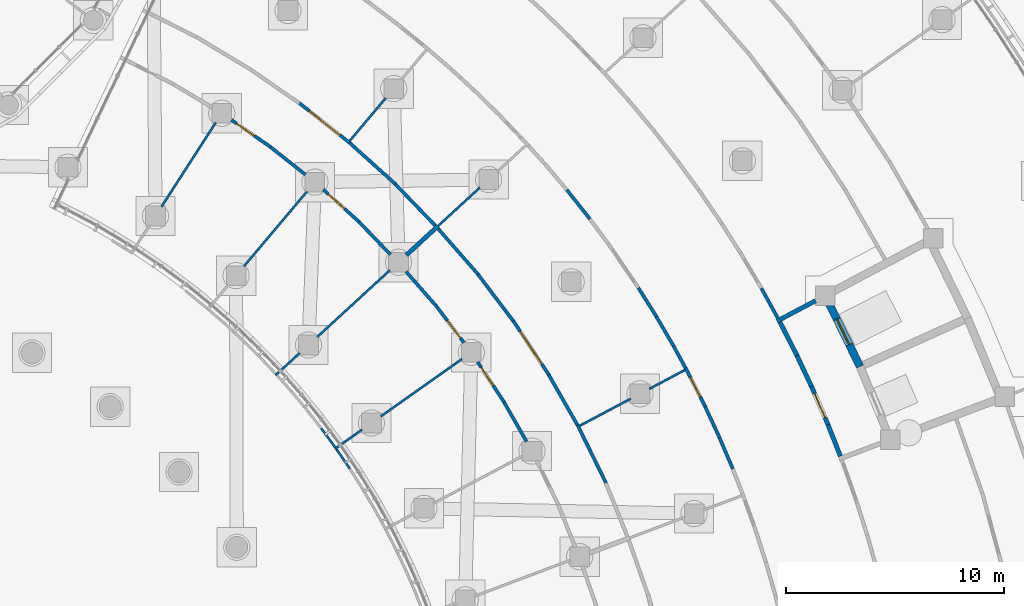
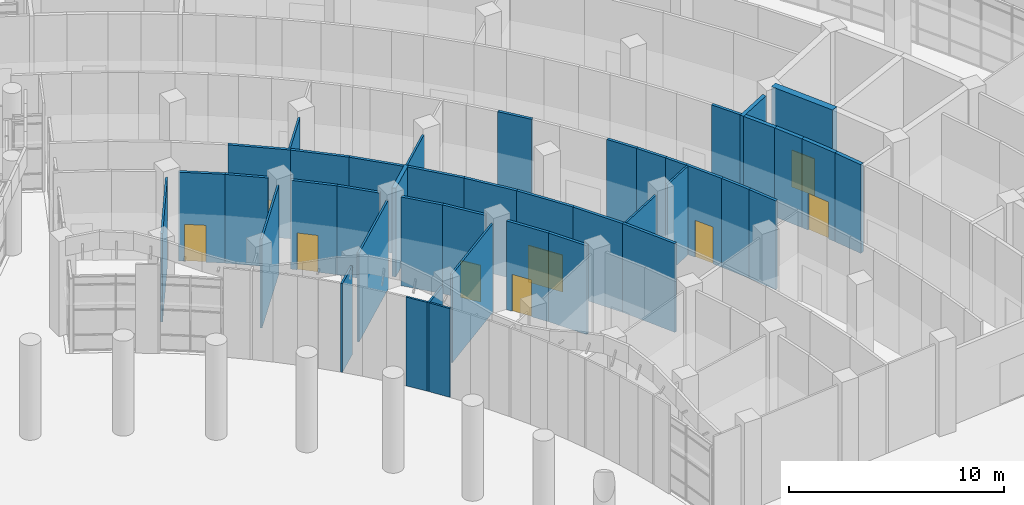
# One storey, part 76 of 146: 43 walls, 9 doors, 9 openings.
"""IFC4 building model written with IfcOpenShell, lengths in metres."""

from ifc_helpers import new_model, si_unit, direction, frame, frame_2d, origin, place, context, subcontext, project, spatial, rectangle, extrude, material, layer, layer_set, type_object, element, fill, save


model = new_model("IFC4")

# Units and contexts
model_context = context("Model", 3, precision=1e-05, world=origin(), true_north=direction((0.0, 1.0)))
body_context = subcontext(model_context, "Body", "Model", "MODEL_VIEW")
ifc_project = project(units=[si_unit("LENGTHUNIT", "METRE"), si_unit("AREAUNIT", "SQUARE_METRE"), si_unit("VOLUMEUNIT", "CUBIC_METRE"), si_unit("PLANEANGLEUNIT", "RADIAN"), si_unit("MASSUNIT", "GRAM", prefix="KILO")], contexts=[model_context])

# Site, building, storey
site_placement = place(None, origin())
site = spatial("IfcSite", under=ifc_project, at=site_placement, CompositionType="ELEMENT")
building_placement = place(site_placement, origin())
building = spatial("IfcBuilding", under=site, at=building_placement, Name="Bougainvillea Quay General Hospital", CompositionType="ELEMENT")
storey_placement = place(building_placement, origin())
storey = spatial("IfcBuildingStorey", under=building, at=storey_placement, Name="L00", CompositionType="ELEMENT", Elevation=0.0)

# Walls
ifc_material_1 = material(Name="Gypsum board partition on steel studs", Category="steel")
ifc_layer_1 = layer(ifc_material_1, 0.10009765625)
ifc_layer_set_1 = layer_set([ifc_layer_1], Name="Gypsum board partition on steel studs")
wall_type_1 = type_object("IfcWallType", Name="Partition 100 Gypsum board partition EI 30", PredefinedType="PARTITIONING", material=ifc_layer_set_1)
wall_1_placement = place(storey_placement, frame((132.762451171875, 49.957763671875, 0.0), z_axis=(0.0, 0.0, 1.0), x_axis=(0.644429680937, 0.76466357722, 0.0)))
element("IfcWall", 1, at=wall_1_placement, inside=storey, type_object=wall_type_1, Name="Partition 100 mm EI 30", PredefinedType="PARTITIONING", context=body_context, shape_type="SweptSolid", body=[
    extrude(rectangle(XDim=4.475341796875, YDim=0.10009765625, at=frame_2d((2.23779296875, 0.0))), origin(), (0.0, 0.0, 1.0), 5.050048828125),
])
wall_2_placement = place(storey_placement, frame((128.982666015625, 52.6826171875, 0.0), z_axis=(0.0, 0.0, 1.0), x_axis=(0.541806664818, 0.840503145716, 0.0)))
element("IfcWall", 2, at=wall_2_placement, inside=storey, type_object=wall_type_1, Name="Partition 100 mm EI 30", PredefinedType="PARTITIONING", context=body_context, shape_type="SweptSolid", body=[
    extrude(rectangle(XDim=4.58544921875, YDim=0.10009765625, at=frame_2d((2.292724609375, 0.0))), origin(), (0.0, 0.0, 1.0), 5.050048828125),
])
wall_3_placement = place(storey_placement, frame((136.92431640625, 41.59521484375, 0.0), z_axis=(0.0, 0.0, 1.0), x_axis=(0.816643847366, 0.577141946629, 0.0)))
element("IfcWall", 3, at=wall_3_placement, inside=storey, type_object=wall_type_1, Name="Partition 100 mm EI 30", PredefinedType="PARTITIONING", context=body_context, shape_type="SweptSolid", body=[
    extrude(rectangle(XDim=1.52490234375, YDim=0.10009765625, at=frame_2d((0.762451171875, 0.0))), origin(), (0.0, 0.0, 1.0), 5.050048828125),
])
wall_4_placement = place(storey_placement, frame((139.0263671875, 43.080810546875, 0.0), z_axis=(0.0, 0.0, 1.0), x_axis=(0.816637661001, 0.577150700108, 0.0)))
element("IfcWall", 4, at=wall_4_placement, inside=storey, type_object=wall_type_1, Name="Partition 100 mm EI 30", PredefinedType="PARTITIONING", context=body_context, shape_type="SweptSolid", body=[
    extrude(rectangle(XDim=4.55078125, YDim=0.10009765625, at=frame_2d((2.275390625, 0.0))), origin(), (0.0, 0.0, 1.0), 5.050048828125),
])
wall_5_placement = place(storey_placement, frame((134.205078125, 44.964111328125, 0.0), z_axis=(0.0, 0.0, 1.0), x_axis=(0.736497059378, 0.676440745023, 0.0)))
element("IfcWall", 5, at=wall_5_placement, inside=storey, type_object=wall_type_1, Name="Partition 100 mm EI 30", PredefinedType="PARTITIONING", context=body_context, shape_type="SweptSolid", body=[
    extrude(rectangle(XDim=1.51220703125, YDim=0.10009765625, at=frame_2d((0.756103515625, 0.0))), origin(), (0.0, 0.0, 1.0), 5.050048828125),
])
wall_6_placement = place(storey_placement, frame((136.111328125, 46.71484375, 0.0), z_axis=(0.0, 0.0, 1.0), x_axis=(0.736475017651, 0.676464742892, 0.0)))
element("IfcWall", 6, at=wall_6_placement, inside=storey, type_object=wall_type_1, Name="Partition 100 mm EI 30", PredefinedType="PARTITIONING", context=body_context, shape_type="SweptSolid", body=[
    extrude(rectangle(XDim=4.52392578125, YDim=0.10009765625, at=frame_2d((2.261962890625, 0.0))), origin(), (0.0, 0.0, 1.0), 5.050048828125),
])
wall_7_placement = place(storey_placement, frame((141.64501953125, 51.797607421875, 0.0), z_axis=(0.0, 0.0, 1.0), x_axis=(0.73658314114, 0.676347008709, 0.0)))
element("IfcWall", 7, at=wall_7_placement, inside=storey, type_object=wall_type_1, Name="Partition 100 mm EI 30", PredefinedType="PARTITIONING", context=body_context, shape_type="SweptSolid", body=[
    extrude(rectangle(XDim=2.610107421875, YDim=0.10009765625, at=frame_2d((1.30517578125, 0.0))), origin(), (0.0, 0.0, 1.0), 5.050048828125),
])
wall_8_placement = place(storey_placement, frame((148.138671875, 42.65185546875, 0.0), z_axis=(0.0, 0.0, 1.0), x_axis=(0.883500310686, 0.468430572249, 0.0)))
element("IfcWall", 8, at=wall_8_placement, inside=storey, type_object=wall_type_1, Name="Partition 100 mm EI 30", PredefinedType="PARTITIONING", context=body_context, shape_type="SweptSolid", body=[
    extrude(rectangle(XDim=2.64453125, YDim=0.10009765625, at=frame_2d((1.322265625, 0.0))), origin(), (0.0, 0.0, 1.0), 5.050048828125),
])
wall_9_placement = place(storey_placement, frame((151.321044921875, 44.33935546875, 0.0), z_axis=(0.0, 0.0, 1.0), x_axis=(0.883507022745, 0.46841791251, 0.0)))
element("IfcWall", 9, at=wall_9_placement, inside=storey, type_object=wall_type_1, Name="Partition 100 mm EI 30", PredefinedType="PARTITIONING", context=body_context, shape_type="SweptSolid", body=[
    extrude(rectangle(XDim=1.84033203125, YDim=0.10009765625, at=frame_2d((0.920166015625, 0.0))), origin(), (0.0, 0.0, 1.0), 5.050048828125),
])
wall_10_placement = place(storey_placement, frame((137.60546875, 55.70361328125, 0.0), z_axis=(0.0, 0.0, 1.0), x_axis=(0.644432238292, 0.764661421971, 0.0)))
element("IfcWall", 10, at=wall_10_placement, inside=storey, type_object=wall_type_1, Name="Partition 100 mm EI 30", PredefinedType="PARTITIONING", context=body_context, shape_type="SweptSolid", body=[
    extrude(rectangle(XDim=2.560546875, YDim=0.10009765625, at=frame_2d((1.2802734375, 0.0))), origin(), (0.0, 0.0, 1.0), 5.050048828125),
])
wall_11_placement = place(storey_placement, frame((136.99365234375, 41.58203125, 0.0), z_axis=(0.0, 0.0, 1.0), x_axis=(0.564070256428, -0.825726798532, 0.0)))
element("IfcWall", 11, at=wall_11_placement, inside=storey, type_object=wall_type_1, Name="Partition 100 mm EI 30", PredefinedType="PARTITIONING", context=body_context, shape_type="SweptSolid", body=[
    extrude(rectangle(XDim=1.084228515625, YDim=0.10009765625, at=frame_2d((0.5419921875, 0.0))), origin(), (0.0, 0.0, 1.0), 5.050048828125),
])
wall_12_placement = place(storey_placement, frame((136.29541015625, 42.540283203125, 0.0), z_axis=(0.0, 0.0, 1.0), x_axis=(0.590044821415, -0.807370490371, 0.0)))
element("IfcWall", 12, at=wall_12_placement, inside=storey, type_object=wall_type_1, Name="Partition 100 mm EI 30", PredefinedType="PARTITIONING", context=body_context, shape_type="SweptSolid", body=[
    extrude(rectangle(XDim=1.083984375, YDim=0.10009765625, at=frame_2d((0.5419921875, 0.0))), origin(), (0.0, 0.0, 1.0), 5.050048828125),
])
ifc_material_2 = material(Name="Gypsum board partition on steel studs, insulated", Category="steel")
ifc_layer_2 = layer(ifc_material_2, 0.14990234375)
ifc_layer_set_2 = layer_set([ifc_layer_2], Name="Gypsum board partition on steel studs, insulated")
wall_type_2 = type_object("IfcWallType", Name="Partition 150 Gypsum board partition EI 30", PredefinedType="PARTITIONING", material=ifc_layer_set_2)
wall_13_placement = place(storey_placement, frame((148.0380859375, 42.683349609375, 0.0), z_axis=(0.0, 0.0, 1.0), x_axis=(0.440200278942, -0.897899612663, 0.0)))
element("IfcWall", 13, at=wall_13_placement, inside=storey, type_object=wall_type_2, Name="Partition 150 mm EI 30", PredefinedType="PARTITIONING", context=body_context, shape_type="SweptSolid", body=[
    extrude(rectangle(XDim=2.957763671875, YDim=0.14990234375, at=frame_2d((1.47900390625, 0.0))), origin(), (0.0, 0.0, 1.0), 5.050048828125),
])

# Wall, opening, door
wall_14_placement = place(storey_placement, frame((145.089599609375, 47.45849609375, 0.0), z_axis=(0.0, 0.0, 1.0), x_axis=(0.551018151494, -0.834493257447, 0.0)))
wall_14 = element("IfcWall", 14, at=wall_14_placement, inside=storey, type_object=wall_type_2, Name="Partition 150 mm EI 30", PredefinedType="PARTITIONING", context=body_context, shape_type="SweptSolid", body=[
    extrude(rectangle(XDim=2.95751953125, YDim=0.14990234375, at=frame_2d((1.478759765625, 0.0))), origin(), (0.0, 0.0, 1.0), 5.050048828125),
])
opening_1_placement = place(wall_14_placement, frame((0.578857421875, 0.0, 0.0)))
opening_1 = element("IfcOpeningElement", 15, at=opening_1_placement, cuts=wall_14, Name="Opening L00.227", PredefinedType="OPENING", context=body_context, shape_type="SweptSolid", body=[
    extrude(rectangle(XDim=1.800048828125, YDim=2.10009765625, at=frame_2d((0.89990234375, 1.050048828125))), frame((0.0, 0.0849609375, 0.0), z_axis=(0.0, -1.0, 0.0), x_axis=(1.0, 0.0, 0.0)), (0.0, 0.0, 1.0), 0.169921875),
])
ifc_material_3 = material(Name="Solid-core timber door leaves in steel frame", Category="steel")
door_type_1 = type_object("IfcDoorType", Name="Double leaf door 1800x2100", OperationType="DOUBLE_DOOR_SINGLE_SWING", PredefinedType="DOOR", material=ifc_material_3)
door_1_placement = place(opening_1_placement, frame((1.800048828125, 0.0, 0.0), z_axis=(0.0, 0.0, 1.0), x_axis=(-1.0, 0.0, 0.0)))
door_1 = element("IfcDoor", 16, at=door_1_placement, inside=storey, type_object=door_type_1, Name="DT08 L00.227", OperationType="DOUBLE_DOOR_SINGLE_SWING", OverallHeight=2.10009765625, OverallWidth=1.800048828125, PredefinedType="DOOR", context=body_context, shape_type="SweptSolid", body=[
    extrude(rectangle(XDim=1.800048828125, YDim=2.10009765625, at=frame_2d((0.89990234375, 1.050048828125))), frame((0.0, 0.02490234375, 0.0), z_axis=(0.0, -1.0, 0.0), x_axis=(1.0, 0.0, 0.0)), (0.0, 0.0, 1.0), 0.050048828125),
])
fill(opening_1, door_1)

wall_15_placement = place(storey_placement, frame((135.293212890625, 57.430419921875, 0.0), z_axis=(0.0, 0.0, 1.0), x_axis=(0.785039104315, -0.619446208073, 0.0)))
wall_15 = element("IfcWall", 17, at=wall_15_placement, inside=storey, type_object=wall_type_2, Name="Partition 150 mm EI 30", PredefinedType="PARTITIONING", context=body_context, shape_type="SweptSolid", body=[
    extrude(rectangle(XDim=2.95751953125, YDim=0.14990234375, at=frame_2d((1.478759765625, 0.0))), origin(), (0.0, 0.0, 1.0), 5.050048828125),
])
opening_2_placement = place(wall_15_placement, frame((0.57861328125, 0.0, 0.0)))
opening_2 = element("IfcOpeningElement", 18, at=opening_2_placement, cuts=wall_15, Name="Opening L00.226", PredefinedType="OPENING", context=body_context, shape_type="SweptSolid", body=[
    extrude(rectangle(XDim=1.800048828125, YDim=2.10009765625, at=frame_2d((0.89990234375, 1.050048828125))), frame((0.0, 0.0849609375, 0.0), z_axis=(0.0, -1.0, 0.0), x_axis=(1.0, 0.0, 0.0)), (0.0, 0.0, 1.0), 0.169921875),
])
door_2_placement = place(opening_2_placement, frame((1.800048828125, 0.0, 0.0), z_axis=(0.0, 0.0, 1.0), x_axis=(-1.0, 0.0, 0.0)))
door_2 = element("IfcDoor", 19, at=door_2_placement, inside=storey, type_object=door_type_1, Name="DT08 L00.226", OperationType="DOUBLE_DOOR_SINGLE_SWING", OverallHeight=2.10009765625, OverallWidth=1.800048828125, PredefinedType="DOOR", context=body_context, shape_type="SweptSolid", body=[
    extrude(rectangle(XDim=1.800048828125, YDim=2.10009765625, at=frame_2d((0.89990234375, 1.050048828125))), frame((0.0, 0.02490234375, 0.0), z_axis=(0.0, -1.0, 0.0), x_axis=(1.0, 0.0, 0.0)), (0.0, 0.0, 1.0), 0.050048828125),
])
fill(opening_2, door_2)

# Walls
wall_16_placement = place(storey_placement, frame((146.712890625, 44.991943359375, 0.0), z_axis=(0.0, 0.0, 1.0), x_axis=(0.49622768999, -0.868192420888, 0.0)))
element("IfcWall", 20, at=wall_16_placement, inside=storey, type_object=wall_type_2, Name="Partition 150 mm EI 30", PredefinedType="PARTITIONING", context=body_context, shape_type="SweptSolid", body=[
    extrude(rectangle(XDim=2.666015625, YDim=0.14990234375, at=frame_2d((1.3330078125, 0.0))), origin(), (0.0, 0.0, 1.0), 5.050048828125),
])
wall_17_placement = place(storey_placement, frame((141.656005859375, 51.66943359375, 0.0), z_axis=(0.0, 0.0, 1.0), x_axis=(0.659076402407, -0.752075990702, 0.0)))
element("IfcWall", 21, at=wall_17_placement, inside=storey, type_object=wall_type_2, Name="Partition 150 mm EI 30", PredefinedType="PARTITIONING", context=body_context, shape_type="SweptSolid", body=[
    extrude(rectangle(XDim=2.780029296875, YDim=0.14990234375, at=frame_2d((1.39013671875, 0.0))), origin(), (0.0, 0.0, 1.0), 5.050048828125),
])
wall_18_placement = place(storey_placement, frame((137.6083984375, 55.597900390625, 0.0), z_axis=(0.0, 0.0, 1.0), x_axis=(0.743501368773, -0.668734412628, 0.0)))
element("IfcWall", 22, at=wall_18_placement, inside=storey, type_object=wall_type_2, Name="Partition 150 mm EI 30", PredefinedType="PARTITIONING", context=body_context, shape_type="SweptSolid", body=[
    extrude(rectangle(XDim=2.8115234375, YDim=0.14990234375, at=frame_2d((1.40576171875, 0.0))), origin(), (0.0, 0.0, 1.0), 5.050048828125),
])
wall_19_placement = place(storey_placement, frame((143.481201171875, 49.579345703125, 0.0), z_axis=(0.0, 0.0, 1.0), x_axis=(0.602824021104, -0.797874175281, 0.0)))
element("IfcWall", 23, at=wall_19_placement, inside=storey, type_object=wall_type_2, Name="Partition 150 mm EI 30", PredefinedType="PARTITIONING", context=body_context, shape_type="SweptSolid", body=[
    extrude(rectangle(XDim=2.666015625, YDim=0.14990234375, at=frame_2d((1.3330078125, 0.0))), origin(), (0.0, 0.0, 1.0), 5.050048828125),
])
wall_20_placement = place(storey_placement, frame((139.69140625, 53.717529296875, 0.0), z_axis=(0.0, 0.0, 1.0), x_axis=(0.693447550136, -0.720507109757, 0.0)))
element("IfcWall", 24, at=wall_20_placement, inside=storey, type_object=wall_type_2, Name="Partition 150 mm EI 30", PredefinedType="PARTITIONING", context=body_context, shape_type="SweptSolid", body=[
    extrude(rectangle(XDim=2.634521484375, YDim=0.14990234375, at=frame_2d((1.3173828125, 0.0))), origin(), (0.0, 0.0, 1.0), 5.050048828125),
])

# Wall, opening, door
wall_21_placement = place(storey_placement, frame((136.39306640625, 53.464599609375, 0.0), z_axis=(0.0, 0.0, 1.0), x_axis=(0.743617683722, -0.668605070618, 0.0)))
wall_21 = element("IfcWall", 25, at=wall_21_placement, inside=storey, type_object=wall_type_2, Name="Partition 150 mm EI 30", PredefinedType="PARTITIONING", context=body_context, shape_type="SweptSolid", body=[
    extrude(rectangle(XDim=2.213134765625, YDim=0.14990234375, at=frame_2d((1.1064453125, 0.0))), origin(), (0.0, 0.0, 1.0), 5.050048828125),
])
opening_3_placement = place(wall_21_placement, frame((0.310791015625, 0.0, 0.0)))
opening_3 = element("IfcOpeningElement", 26, at=opening_3_placement, cuts=wall_21, Name="Opening L00.279", PredefinedType="OPENING", context=body_context, shape_type="SweptSolid", body=[
    extrude(rectangle(XDim=1.0, YDim=2.10009765625, at=frame_2d((0.5, 1.050048828125))), frame((0.0, 0.0849609375, 0.0), z_axis=(0.0, -1.0, 0.0), x_axis=(1.0, 0.0, 0.0)), (0.0, 0.0, 1.0), 0.169921875),
])
ifc_material_4 = material(Name="Solid-core timber door leaf in steel frame", Category="steel")
door_type_2 = type_object("IfcDoorType", Name="Single leaf door 1000x2100 FD30S", OperationType="NOTDEFINED", PredefinedType="DOOR", material=ifc_material_4)
door_3_placement = place(opening_3_placement, frame((1.0, 0.0, 0.0), z_axis=(0.0, 0.0, 1.0), x_axis=(-1.0, 0.0, 0.0)))
door_3 = element("IfcDoor", 27, at=door_3_placement, inside=storey, type_object=door_type_2, Name="DT15 L00.279", OperationType="SINGLE_SWING_RIGHT", OverallHeight=2.10009765625, OverallWidth=1.0, PredefinedType="DOOR", context=body_context, shape_type="SweptSolid", body=[
    extrude(rectangle(XDim=1.0, YDim=2.10009765625, at=frame_2d((0.5, 1.050048828125))), frame((0.0, 0.02490234375, 0.0), z_axis=(0.0, -1.0, 0.0), x_axis=(1.0, 0.0, 0.0)), (0.0, 0.0, 1.0), 0.050048828125),
])
fill(opening_3, door_3)

wall_22_placement = place(storey_placement, frame((132.183837890625, 56.65771484375, 0.0), z_axis=(0.0, 0.0, 1.0), x_axis=(0.82273696549, -0.568422277551, 0.0)))
wall_22 = element("IfcWall", 28, at=wall_22_placement, inside=storey, type_object=wall_type_2, Name="Partition 150 mm EI 30", PredefinedType="PARTITIONING", context=body_context, shape_type="SweptSolid", body=[
    extrude(rectangle(XDim=2.192626953125, YDim=0.14990234375, at=frame_2d((1.09619140625, 0.0))), origin(), (0.0, 0.0, 1.0), 5.050048828125),
])
opening_4_placement = place(wall_22_placement, frame((0.290283203125, 0.0, 0.0)))
opening_4 = element("IfcOpeningElement", 29, at=opening_4_placement, cuts=wall_22, Name="Opening L00.278", PredefinedType="OPENING", context=body_context, shape_type="SweptSolid", body=[
    extrude(rectangle(XDim=1.0, YDim=2.10009765625, at=frame_2d((0.5, 1.050048828125))), frame((0.0, 0.0849609375, 0.0), z_axis=(0.0, -1.0, 0.0), x_axis=(1.0, 0.0, 0.0)), (0.0, 0.0, 1.0), 0.169921875),
])
door_4_placement = place(opening_4_placement, frame((1.0, 0.0, 0.0), z_axis=(0.0, 0.0, 1.0), x_axis=(-1.0, 0.0, 0.0)))
door_4 = element("IfcDoor", 30, at=door_4_placement, inside=storey, type_object=door_type_2, Name="DT15 L00.278", OperationType="SINGLE_SWING_RIGHT", OverallHeight=2.10009765625, OverallWidth=1.0, PredefinedType="DOOR", context=body_context, shape_type="SweptSolid", body=[
    extrude(rectangle(XDim=1.0, YDim=2.10009765625, at=frame_2d((0.5, 1.050048828125))), frame((0.0, 0.02490234375, 0.0), z_axis=(0.0, -1.0, 0.0), x_axis=(1.0, 0.0, 0.0)), (0.0, 0.0, 1.0), 0.050048828125),
])
fill(opening_4, door_4)

wall_23_placement = place(storey_placement, frame((141.52587890625, 48.187744140625, 0.0), z_axis=(0.0, 0.0, 1.0), x_axis=(0.60280129331, -0.797891346477, 0.0)))
wall_23 = element("IfcWall", 31, at=wall_23_placement, inside=storey, type_object=wall_type_2, Name="Partition 150 mm EI 30", PredefinedType="PARTITIONING", context=body_context, shape_type="SweptSolid", body=[
    extrude(rectangle(XDim=2.17236328125, YDim=0.14990234375, at=frame_2d((1.086181640625, 0.0))), origin(), (0.0, 0.0, 1.0), 5.050048828125),
])
opening_5_placement = place(wall_23_placement, frame((0.902099609375, 0.0, 0.0)))
opening_5 = element("IfcOpeningElement", 32, at=opening_5_placement, cuts=wall_23, Name="Opening L00.281", PredefinedType="OPENING", context=body_context, shape_type="SweptSolid", body=[
    extrude(rectangle(XDim=1.0, YDim=2.10009765625, at=frame_2d((0.5, 1.050048828125))), frame((0.0, 0.0849609375, 0.0), z_axis=(0.0, -1.0, 0.0), x_axis=(1.0, 0.0, 0.0)), (0.0, 0.0, 1.0), 0.169921875),
])
door_5_placement = place(opening_5_placement, frame((1.0, 0.0, 0.0), z_axis=(0.0, 0.0, 1.0), x_axis=(-1.0, 0.0, 0.0)))
door_5 = element("IfcDoor", 33, at=door_5_placement, inside=storey, type_object=door_type_2, Name="DT15 L00.281", OperationType="SINGLE_SWING_LEFT", OverallHeight=2.10009765625, OverallWidth=1.0, PredefinedType="DOOR", context=body_context, shape_type="SweptSolid", body=[
    extrude(rectangle(XDim=1.0, YDim=2.10009765625, at=frame_2d((0.5, 1.050048828125))), frame((0.0, 0.02490234375, 0.0), z_axis=(0.0, -1.0, 0.0), x_axis=(1.0, 0.0, 0.0)), (0.0, 0.0, 1.0), 0.050048828125),
])
fill(opening_5, door_5)

wall_24_placement = place(storey_placement, frame((143.461669921875, 45.569580078125, 0.0), z_axis=(0.0, 0.0, 1.0), x_axis=(0.550880835548, -0.834583911315, 0.0)))
wall_24 = element("IfcWall", 34, at=wall_24_placement, inside=storey, type_object=wall_type_2, Name="Partition 150 mm EI 30", PredefinedType="PARTITIONING", context=body_context, shape_type="SweptSolid", body=[
    extrude(rectangle(XDim=2.201171875, YDim=0.14990234375, at=frame_2d((1.1005859375, 0.0))), origin(), (0.0, 0.0, 1.0), 5.050048828125),
])
opening_6_placement = place(wall_24_placement, frame((0.29931640625, 0.0, 0.0)))
opening_6 = element("IfcOpeningElement", 35, at=opening_6_placement, cuts=wall_24, Name="Opening L00.282", PredefinedType="OPENING", context=body_context, shape_type="SweptSolid", body=[
    extrude(rectangle(XDim=1.0, YDim=2.10009765625, at=frame_2d((0.5, 1.050048828125))), frame((0.0, 0.0849609375, 0.0), z_axis=(0.0, -1.0, 0.0), x_axis=(1.0, 0.0, 0.0)), (0.0, 0.0, 1.0), 0.169921875),
])
door_6_placement = place(opening_6_placement, frame((1.0, 0.0, 0.0), z_axis=(0.0, 0.0, 1.0), x_axis=(-1.0, 0.0, 0.0)))
door_6 = element("IfcDoor", 36, at=door_6_placement, inside=storey, type_object=door_type_2, Name="DT15 L00.282", OperationType="SINGLE_SWING_RIGHT", OverallHeight=2.10009765625, OverallWidth=1.0, PredefinedType="DOOR", context=body_context, shape_type="SweptSolid", body=[
    extrude(rectangle(XDim=1.0, YDim=2.10009765625, at=frame_2d((0.5, 1.050048828125))), frame((0.0, 0.02490234375, 0.0), z_axis=(0.0, -1.0, 0.0), x_axis=(1.0, 0.0, 0.0)), (0.0, 0.0, 1.0), 0.050048828125),
])
fill(opening_6, door_6)

# Walls
wall_25_placement = place(storey_placement, frame((133.981201171875, 55.410400390625, 0.0), z_axis=(0.0, 0.0, 1.0), x_axis=(0.784968928218, -0.619535133574, 0.0)))
element("IfcWall", 37, at=wall_25_placement, inside=storey, type_object=wall_type_2, Name="Partition 150 mm EI 30", PredefinedType="PARTITIONING", context=body_context, shape_type="SweptSolid", body=[
    extrude(rectangle(XDim=2.03076171875, YDim=0.14990234375, at=frame_2d((1.015380859375, 0.0))), origin(), (0.0, 0.0, 1.0), 5.050048828125),
])
wall_26_placement = place(storey_placement, frame((144.66796875, 43.73388671875, 0.0), z_axis=(0.0, 0.0, 1.0), x_axis=(0.496694973164, -0.867925171679, 0.0)))
element("IfcWall", 38, at=wall_26_placement, inside=storey, type_object=wall_type_2, Name="Partition 150 mm EI 30", PredefinedType="PARTITIONING", context=body_context, shape_type="SweptSolid", body=[
    extrude(rectangle(XDim=2.080078125, YDim=0.14990234375, at=frame_2d((1.0400390625, 0.0))), origin(), (0.0, 0.0, 1.0), 5.050048828125),
])
wall_27_placement = place(storey_placement, frame((140.18359375, 49.71044921875, 0.0), z_axis=(0.0, 0.0, 1.0), x_axis=(0.659209376091, -0.751959439381, 0.0)))
element("IfcWall", 39, at=wall_27_placement, inside=storey, type_object=wall_type_2, Name="Partition 150 mm EI 30", PredefinedType="PARTITIONING", context=body_context, shape_type="SweptSolid", body=[
    extrude(rectangle(XDim=2.03466796875, YDim=0.14990234375, at=frame_2d((1.017333984375, 0.0))), origin(), (0.0, 0.0, 1.0), 5.050048828125),
])
wall_28_placement = place(storey_placement, frame((138.031494140625, 51.984619140625, 0.0), z_axis=(0.0, 0.0, 1.0), x_axis=(0.693216793474, -0.7207291289, 0.0)))
element("IfcWall", 40, at=wall_28_placement, inside=storey, type_object=wall_type_2, Name="Partition 150 mm EI 30", PredefinedType="PARTITIONING", context=body_context, shape_type="SweptSolid", body=[
    extrude(rectangle(XDim=2.076416015625, YDim=0.14990234375, at=frame_2d((1.0380859375, 0.0))), origin(), (0.0, 0.0, 1.0), 5.050048828125),
])

# Wall, opening, door
wall_29_placement = place(storey_placement, frame((152.97998046875, 45.303955078125, 0.0), z_axis=(0.0, 0.0, 1.0), x_axis=(0.45308978769, -0.89146488674, 0.0)))
wall_29 = element("IfcWall", 41, at=wall_29_placement, inside=storey, type_object=wall_type_2, Name="Partition 150 mm EI 30", PredefinedType="PARTITIONING", context=body_context, shape_type="SweptSolid", body=[
    extrude(rectangle(XDim=1.990966796875, YDim=0.14990234375, at=frame_2d((0.99560546875, 0.0))), origin(), (0.0, 0.0, 1.0), 5.050048828125),
])
opening_7_placement = place(wall_29_placement, frame((0.495361328125, 0.0, 0.0)))
opening_7 = element("IfcOpeningElement", 42, at=opening_7_placement, cuts=wall_29, Name="Opening L00.280", PredefinedType="OPENING", context=body_context, shape_type="SweptSolid", body=[
    extrude(rectangle(XDim=1.0, YDim=2.10009765625, at=frame_2d((0.5, 1.050048828125))), frame((0.0, 0.0849609375, 0.0), z_axis=(0.0, -1.0, 0.0), x_axis=(1.0, 0.0, 0.0)), (0.0, 0.0, 1.0), 0.169921875),
])
door_7_placement = place(opening_7_placement, frame((1.0, 0.0, 0.0), z_axis=(0.0, 0.0, 1.0), x_axis=(-1.0, 0.0, 0.0)))
door_7 = element("IfcDoor", 43, at=door_7_placement, inside=storey, type_object=door_type_2, Name="DT15 L00.280", OperationType="SINGLE_SWING_RIGHT", OverallHeight=2.10009765625, OverallWidth=1.0, PredefinedType="DOOR", context=body_context, shape_type="SweptSolid", body=[
    extrude(rectangle(XDim=1.0, YDim=2.10009765625, at=frame_2d((0.5, 1.050048828125))), frame((0.0, 0.02490234375, 0.0), z_axis=(0.0, -1.0, 0.0), x_axis=(1.0, 0.0, 0.0)), (0.0, 0.0, 1.0), 0.050048828125),
])
fill(opening_7, door_7)

# Walls
wall_30_placement = place(storey_placement, frame((156.45703125, 48.9453125, 0.0), z_axis=(0.0, 0.0, 1.0), x_axis=(0.482411223267, -0.875944867937, 0.0)))
element("IfcWall", 44, at=wall_30_placement, inside=storey, type_object=wall_type_2, Name="Partition 150 mm EI 30", PredefinedType="PARTITIONING", context=body_context, shape_type="SweptSolid", body=[
    extrude(rectangle(XDim=1.560302734375, YDim=0.14990234375, at=frame_2d((0.7802734375, 0.0))), origin(), (0.0, 0.0, 1.0), 5.050048828125),
])
wall_31_placement = place(storey_placement, frame((150.823486328125, 48.96484375, 0.0), z_axis=(0.0, 0.0, 1.0), x_axis=(0.531963557529, -0.846767248694, 0.0)))
element("IfcWall", 45, at=wall_31_placement, inside=storey, type_object=wall_type_2, Name="Partition 150 mm EI 30", PredefinedType="PARTITIONING", context=body_context, shape_type="SweptSolid", body=[
    extrude(rectangle(XDim=1.562744140625, YDim=0.14990234375, at=frame_2d((0.78125, 0.0))), origin(), (0.0, 0.0, 1.0), 5.050048828125),
])
wall_32_placement = place(storey_placement, frame((147.54150390625, 53.4619140625, 0.0), z_axis=(0.0, 0.0, 1.0), x_axis=(0.620542012859, -0.784173201708, 0.0)))
element("IfcWall", 46, at=wall_32_placement, inside=storey, type_object=wall_type_2, Name="Partition 150 mm EI 30", PredefinedType="PARTITIONING", context=body_context, shape_type="SweptSolid", body=[
    extrude(rectangle(XDim=1.7099609375, YDim=0.14990234375, at=frame_2d((0.85498046875, 0.0))), origin(), (0.0, 0.0, 1.0), 5.050048828125),
])
wall_33_placement = place(storey_placement, frame((151.651611328125, 47.64208984375, 0.0), z_axis=(0.0, 0.0, 1.0), x_axis=(0.504852542481, -0.863205601436, 0.0)))
element("IfcWall", 47, at=wall_33_placement, inside=storey, type_object=wall_type_2, Name="Partition 150 mm EI 30", PredefinedType="PARTITIONING", context=body_context, shape_type="SweptSolid", body=[
    extrude(rectangle(XDim=1.5615234375, YDim=0.14990234375, at=frame_2d((0.78076171875, 0.0))), origin(), (0.0, 0.0, 1.0), 5.050048828125),
])
wall_34_placement = place(storey_placement, frame((153.87841796875, 43.5302734375, 0.0), z_axis=(0.0, 0.0, 1.0), x_axis=(0.421455751704, -0.906848967224, 0.0)))
element("IfcWall", 48, at=wall_34_placement, inside=storey, type_object=wall_type_2, Name="Partition 150 mm EI 30", PredefinedType="PARTITIONING", context=body_context, shape_type="SweptSolid", body=[
    extrude(rectangle(XDim=1.561767578125, YDim=0.14990234375, at=frame_2d((0.78076171875, 0.0))), origin(), (0.0, 0.0, 1.0), 5.050048828125),
])
wall_35_placement = place(storey_placement, frame((154.533447265625, 42.114990234375, 0.0), z_axis=(0.0, 0.0, 1.0), x_axis=(0.39261681237, -0.9197021467, 0.0)))
element("IfcWall", 49, at=wall_35_placement, inside=storey, type_object=wall_type_2, Name="Partition 150 mm EI 30", PredefinedType="PARTITIONING", context=body_context, shape_type="SweptSolid", body=[
    extrude(rectangle(XDim=1.5615234375, YDim=0.14990234375, at=frame_2d((0.78076171875, 0.0))), origin(), (0.0, 0.0, 1.0), 5.050048828125),
])
wall_36_placement = place(storey_placement, frame((152.43701171875, 46.294921875, 0.0), z_axis=(0.0, 0.0, 1.0), x_axis=(0.478761469216, -0.877945018549, 0.0)))
element("IfcWall", 50, at=wall_36_placement, inside=storey, type_object=wall_type_2, Name="Partition 150 mm EI 30", PredefinedType="PARTITIONING", context=body_context, shape_type="SweptSolid", body=[
    extrude(rectangle(XDim=1.132080078125, YDim=0.14990234375, at=frame_2d((0.56591796875, 0.0))), origin(), (0.0, 0.0, 1.0), 5.050048828125),
])
ifc_material_5 = material(Name="Fire-rated autoclaved aerated block wall, plastered")
ifc_layer_3 = layer(ifc_material_5, 0.199951171875)
ifc_layer_set_3 = layer_set([ifc_layer_3], Name="Fire-rated autoclaved aerated block wall, plastered")
wall_type_3 = type_object("IfcWallType", Name="Partition 200 Fire-rated autoclaved aerated block wall EI 120", PredefinedType="SOLIDWALL", material=ifc_layer_set_3)
wall_37_placement = place(storey_placement, frame((157.170654296875, 47.442138671875, 0.0), z_axis=(0.0, 0.0, 1.0), x_axis=(0.883475149074, 0.468478026133, 0.0)))
element("IfcWall", 51, at=wall_37_placement, inside=storey, type_object=wall_type_3, Name="Partition 200 mm EI 120", PredefinedType="SOLIDWALL", context=body_context, shape_type="SweptSolid", body=[
    extrude(rectangle(XDim=1.994873046875, YDim=0.199951171875, at=frame_2d((0.99755859375, 0.0))), origin(), (0.0, 0.0, 1.0), 5.050048828125),
])
wall_38_placement = place(storey_placement, frame((140.1962890625, 50.466796875, 0.0), z_axis=(0.0, 0.0, 1.0), x_axis=(0.736519787736, 0.676415997943, 0.0)))
element("IfcWall", 52, at=wall_38_placement, inside=storey, type_object=wall_type_3, Name="Partition 200 mm EI 120", PredefinedType="SOLIDWALL", context=body_context, shape_type="SweptSolid", body=[
    extrude(rectangle(XDim=1.966064453125, YDim=0.199951171875, at=frame_2d((0.98291015625, 0.0))), origin(), (0.0, 0.0, 1.0), 5.050048828125),
])

# Wall, opening, door
wall_39_placement = place(storey_placement, frame((158.747314453125, 44.46484375, 0.0), z_axis=(0.0, 0.0, 1.0), x_axis=(0.396322487651, -0.918111368943, 0.0)))
wall_39 = element("IfcWall", 53, at=wall_39_placement, inside=storey, type_object=wall_type_3, Name="Partition 200 mm EI 120", PredefinedType="SOLIDWALL", context=body_context, shape_type="SweptSolid", body=[
    extrude(rectangle(XDim=1.93603515625, YDim=0.199951171875, at=frame_2d((0.968017578125, 0.0))), origin(), (0.0, 0.0, 1.0), 5.050048828125),
])
opening_8_placement = place(wall_39_placement, frame((0.3681640625, 0.0, 0.0)))
opening_8 = element("IfcOpeningElement", 54, at=opening_8_placement, cuts=wall_39, Name="Opening L00.230", PredefinedType="OPENING", context=body_context, shape_type="SweptSolid", body=[
    extrude(rectangle(XDim=1.199951171875, YDim=2.10009765625, at=frame_2d((0.60009765625, 1.050048828125))), frame((0.0, 0.10986328125, 0.0), z_axis=(0.0, -1.0, 0.0), x_axis=(1.0, 0.0, 0.0)), (0.0, 0.0, 1.0), 0.219970703125),
])
door_type_3 = type_object("IfcDoorType", Name="Single leaf door 1200x2100 FD60", OperationType="NOTDEFINED", PredefinedType="DOOR", material=ifc_material_4)
door_8_placement = place(opening_8_placement, origin())
door_8 = element("IfcDoor", 55, at=door_8_placement, inside=storey, type_object=door_type_3, Name="DT12 L00.230", OperationType="SINGLE_SWING_LEFT", OverallHeight=2.10009765625, OverallWidth=1.199951171875, PredefinedType="DOOR", context=body_context, shape_type="SweptSolid", body=[
    extrude(rectangle(XDim=1.199951171875, YDim=2.10009765625, at=frame_2d((0.60009765625, 1.050048828125))), frame((0.0, 0.02490234375, 0.0), z_axis=(0.0, -1.0, 0.0), x_axis=(1.0, 0.0, 0.0)), (0.0, 0.0, 1.0), 0.050048828125),
])
fill(opening_8, door_8)

# Walls
wall_40_placement = place(storey_placement, frame((157.30517578125, 47.398681640625, 0.0), z_axis=(0.0, 0.0, 1.0), x_axis=(0.454575201636, -0.890708361955, 0.0)))
element("IfcWall", 56, at=wall_40_placement, inside=storey, type_object=wall_type_3, Name="Partition 200 mm EI 120", PredefinedType="SOLIDWALL", context=body_context, shape_type="SweptSolid", body=[
    extrude(rectangle(XDim=1.734130859375, YDim=0.199951171875, at=frame_2d((0.8671875, 0.0))), origin(), (0.0, 0.0, 1.0), 5.050048828125),
])
wall_41_placement = place(storey_placement, frame((158.08935546875, 45.855224609375, 0.0), z_axis=(0.0, 0.0, 1.0), x_axis=(0.42579703633, -0.904818702201, 0.0)))
element("IfcWall", 57, at=wall_41_placement, inside=storey, type_object=wall_type_3, Name="Partition 200 mm EI 120", PredefinedType="SOLIDWALL", context=body_context, shape_type="SweptSolid", body=[
    extrude(rectangle(XDim=1.541259765625, YDim=0.199951171875, at=frame_2d((0.7705078125, 0.0))), origin(), (0.0, 0.0, 1.0), 5.050048828125),
])
wall_42_placement = place(storey_placement, frame((159.510498046875, 42.688720703125, 0.0), z_axis=(0.0, 0.0, 1.0), x_axis=(0.367195475631, -0.930143796773, 0.0)))
element("IfcWall", 58, at=wall_42_placement, inside=storey, type_object=wall_type_3, Name="Partition 200 mm EI 120", PredefinedType="SOLIDWALL", context=body_context, shape_type="SweptSolid", body=[
    extrude(rectangle(XDim=1.53662109375, YDim=0.199951171875, at=frame_2d((0.768310546875, 0.0))), origin(), (0.0, 0.0, 1.0), 5.050048828125),
])

# Wall, opening, door
ifc_material_6 = material(Name="Concrete C40", Category="concrete")
ifc_layer_4 = layer(ifc_material_6, 0.35009765625)
ifc_layer_set_4 = layer_set([ifc_layer_4], Name="Concrete C40")
wall_type_4 = type_object("IfcWallType", Name="RC SHEAR WALL 350 C40", PredefinedType="SHEAR", material=ifc_layer_set_4)
wall_43_placement = place(storey_placement, frame((159.4560546875, 48.455810546875, -0.300048828125), z_axis=(0.0, 0.0, 1.0), x_axis=(0.440221126053, -0.89788939195, 0.0)))
wall_43 = element("IfcWall", 59, at=wall_43_placement, inside=storey, type_object=wall_type_4, Name="Shear wall L00", PredefinedType="SHEAR", context=body_context, shape_type="SweptSolid", body=[
    extrude(rectangle(XDim=3.4423828125, YDim=0.35009765625, at=frame_2d((1.72119140625, 0.0))), origin(), (0.0, 0.0, 1.0), 5.699951171875),
])
opening_9_placement = place(wall_43_placement, frame((1.031005859375, 0.0, 0.300048828125)))
opening_9 = element("IfcOpeningElement", 60, at=opening_9_placement, cuts=wall_43, Name="Opening LD-E1.1-L00", PredefinedType="OPENING", context=body_context, shape_type="SweptSolid", body=[
    extrude(rectangle(XDim=1.300048828125, YDim=2.10009765625, at=frame_2d((0.64990234375, 1.050048828125))), frame((0.0, 0.18505859375, 0.0), z_axis=(0.0, -1.0, 0.0), x_axis=(1.0, 0.0, 0.0)), (0.0, 0.0, 1.0), 0.3701171875),
])
ifc_material_7 = material(Name="Stainless steel centre-opening landing door", Category="steel")
door_type_4 = type_object("IfcDoorType", Name="Lift landing door 1300x2100 E 120", OperationType="DOUBLE_DOOR_SLIDING", PredefinedType="DOOR", material=ifc_material_7)
door_9_placement = place(opening_9_placement, origin())
door_9 = element("IfcDoor", 61, at=door_9_placement, inside=storey, type_object=door_type_4, Name="Lift landing door LB-E1-1 L00", OperationType="DOUBLE_DOOR_SLIDING", OverallHeight=2.10009765625, OverallWidth=1.300048828125, PredefinedType="DOOR", context=body_context, shape_type="SweptSolid", body=[
    extrude(rectangle(XDim=1.300048828125, YDim=2.10009765625, at=frame_2d((0.64990234375, 1.050048828125))), frame((0.0, 0.02490234375, 0.0), z_axis=(0.0, -1.0, 0.0), x_axis=(1.0, 0.0, 0.0)), (0.0, 0.0, 1.0), 0.050048828125),
])
fill(opening_9, door_9)

save(model, "model.ifc")
